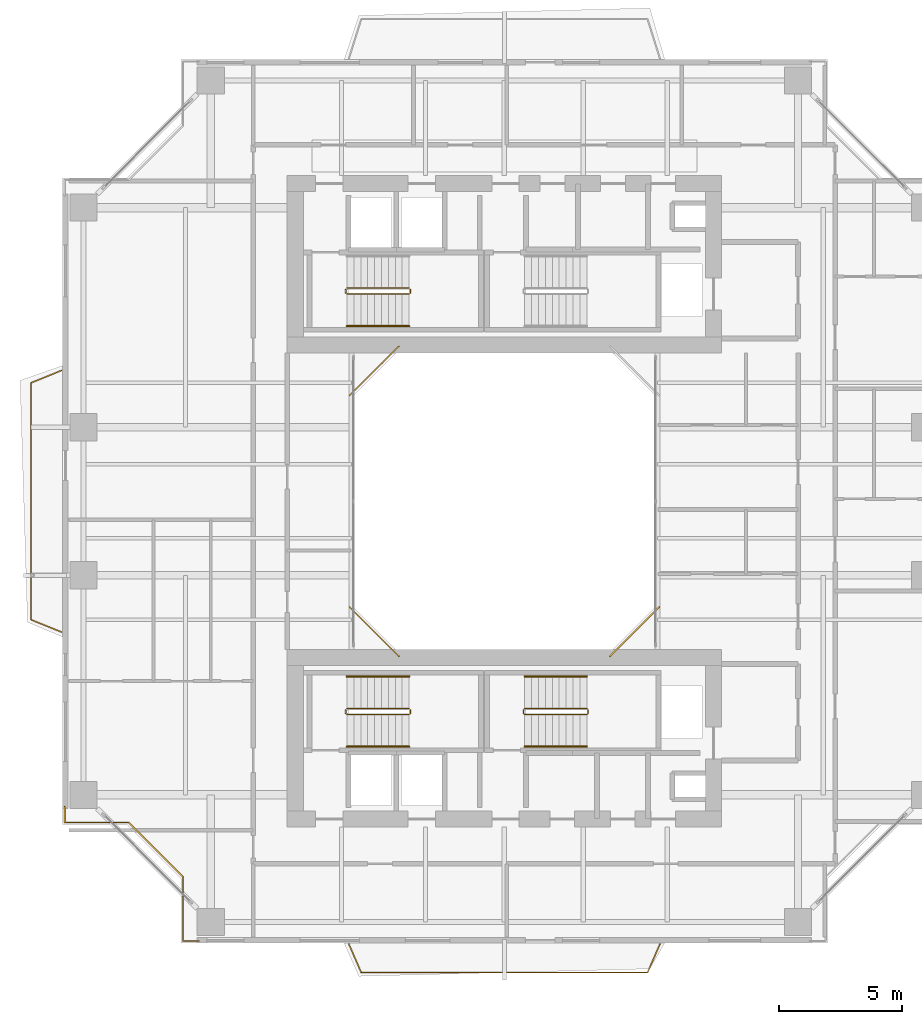
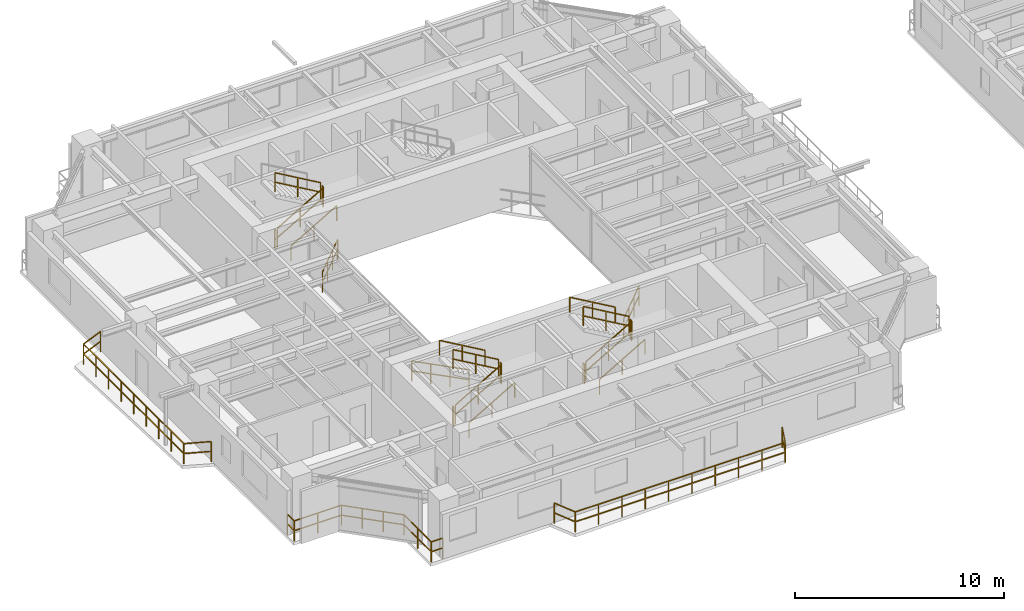
# One storey, part 20 of 23: 23 railings.
"""IFC4 building model written with IfcOpenShell, lengths in metres."""

from ifc_helpers import new_model, si_unit, direction, frame, origin, origin_2d, place, context, subcontext, project, spatial, rectangle, extrude, material, type_object, element, save


model = new_model("IFC4")

# Units and contexts
model_context = context("Model", 3, precision=1e-05, world=origin(), true_north=direction((0.0, 1.0)))
body_context = subcontext(model_context, "Body", "Model", "MODEL_VIEW")
ifc_project = project(units=[si_unit("LENGTHUNIT", "METRE"), si_unit("AREAUNIT", "SQUARE_METRE"), si_unit("VOLUMEUNIT", "CUBIC_METRE"), si_unit("PLANEANGLEUNIT", "RADIAN"), si_unit("MASSUNIT", "GRAM", prefix="KILO"), si_unit("THERMODYNAMICTEMPERATUREUNIT", "KELVIN"), si_unit("POWERUNIT", "WATT")], contexts=[model_context])

# Site, building, storey
site_placement = place(None, origin())
site = spatial("IfcSite", under=ifc_project, at=site_placement, CompositionType="ELEMENT")
building_placement = place(site_placement, origin())
building = spatial("IfcBuilding", under=site, at=building_placement, Name="Qiaomeng Ring Towers", CompositionType="ELEMENT")
storey_placement = place(building_placement, frame((0.0, 0.0, 100.25)))
storey = spatial("IfcBuildingStorey", under=building, at=storey_placement, Name="L28", CompositionType="ELEMENT", Elevation=100.25)

# Railings
ifc_material_1 = material(Name="Low-E pale-green laminated safety glass", Category="glass")
railing_type_1 = type_object("IfcRailingType", Name="ARC-RL-BAL1", PredefinedType="BALUSTRADE", material=ifc_material_1)
railing_1_placement = place(storey_placement, frame((23.280029296875, 16.719970703125, 0.0)))
element("IfcRailing", 1, at=railing_1_placement, inside=storey, type_object=railing_type_1, Name="L28 Balustrade ARC-BAL-WELL1-L28-1", PredefinedType="BALUSTRADE", context=body_context, shape_type="SweptSolid", body=[
    extrude(rectangle(XDim=0.048095703125, YDim=0.048095703125, at=origin_2d()), frame((0.0, 0.0, 1.17578125), z_axis=(0.707106781187, 0.707106781187, 0.0), x_axis=(-0.707106781187, 0.707106781187, 0.0)), (0.0, 0.0, 1.0), 2.828369140625),
    extrude(rectangle(XDim=0.048095703125, YDim=0.048095703125, at=origin_2d()), frame((0.0, 0.0, 0.60009765625), z_axis=(0.707106781187, 0.707106781187, 0.0), x_axis=(-0.707106781187, 0.707106781187, 0.0)), (0.0, 0.0, 1.0), 2.828369140625),
    extrude(rectangle(XDim=0.0419921875, YDim=0.0419921875, at=origin_2d()), origin(), (0.0, 0.0, 1.0), 1.15185546875),
    extrude(rectangle(XDim=0.0419921875, YDim=0.0419921875, at=origin_2d()), frame((0.666748046875, 0.666748046875, 0.0)), (0.0, 0.0, 1.0), 1.15185546875),
    extrude(rectangle(XDim=0.0419921875, YDim=0.0419921875, at=origin_2d()), frame((1.333251953125, 1.333251953125, 0.0)), (0.0, 0.0, 1.0), 1.15185546875),
    extrude(rectangle(XDim=0.0419921875, YDim=0.0419921875, at=origin_2d()), frame((2.0, 2.0, 0.0)), (0.0, 0.0, 1.0), 1.15185546875),
])
railing_2_placement = place(storey_placement, frame((14.719970703125, 29.280029296875, 0.0)))
element("IfcRailing", 2, at=railing_2_placement, inside=storey, type_object=railing_type_1, Name="L28 Balustrade ARC-BAL-WELL1-L28-3", PredefinedType="BALUSTRADE", context=body_context, shape_type="SweptSolid", body=[
    extrude(rectangle(XDim=0.048095703125, YDim=0.048095703125, at=origin_2d()), frame((0.0, 0.0, 1.17578125), z_axis=(-0.707106781187, -0.707106781187, 0.0), x_axis=(0.707106781187, -0.707106781187, 0.0)), (0.0, 0.0, 1.0), 2.828369140625),
    extrude(rectangle(XDim=0.048095703125, YDim=0.048095703125, at=origin_2d()), frame((0.0, 0.0, 0.60009765625), z_axis=(-0.707106781187, -0.707106781187, 0.0), x_axis=(0.707106781187, -0.707106781187, 0.0)), (0.0, 0.0, 1.0), 2.828369140625),
    extrude(rectangle(XDim=0.0419921875, YDim=0.0419921875, at=origin_2d()), origin(), (0.0, 0.0, 1.0), 1.15185546875),
    extrude(rectangle(XDim=0.0419921875, YDim=0.0419921875, at=origin_2d()), frame((-0.666748046875, -0.666748046875, 0.0)), (0.0, 0.0, 1.0), 1.15185546875),
    extrude(rectangle(XDim=0.0419921875, YDim=0.0419921875, at=origin_2d()), frame((-1.333251953125, -1.333251953125, 0.0)), (0.0, 0.0, 1.0), 1.15185546875),
    extrude(rectangle(XDim=0.0419921875, YDim=0.0419921875, at=origin_2d()), frame((-2.0, -2.0, 0.0)), (0.0, 0.0, 1.0), 1.15185546875),
])
railing_3_placement = place(storey_placement, frame((12.719970703125, 18.719970703125, 0.0)))
element("IfcRailing", 3, at=railing_3_placement, inside=storey, type_object=railing_type_1, Name="L28 Balustrade ARC-BAL-WELL1-L28-4", PredefinedType="BALUSTRADE", context=body_context, shape_type="SweptSolid", body=[
    extrude(rectangle(XDim=0.048095703125, YDim=0.048095703125, at=origin_2d()), frame((0.0, 0.0, 1.17578125), z_axis=(0.707106781187, -0.707106781187, 0.0), x_axis=(0.707106781187, 0.707106781187, 0.0)), (0.0, 0.0, 1.0), 2.828369140625),
    extrude(rectangle(XDim=0.048095703125, YDim=0.048095703125, at=origin_2d()), frame((0.0, 0.0, 0.60009765625), z_axis=(0.707106781187, -0.707106781187, 0.0), x_axis=(0.707106781187, 0.707106781187, 0.0)), (0.0, 0.0, 1.0), 2.828369140625),
    extrude(rectangle(XDim=0.0419921875, YDim=0.0419921875, at=origin_2d()), origin(), (0.0, 0.0, 1.0), 1.15185546875),
    extrude(rectangle(XDim=0.0419921875, YDim=0.0419921875, at=origin_2d()), frame((0.666748046875, -0.666748046875, 0.0)), (0.0, 0.0, 1.0), 1.15185546875),
    extrude(rectangle(XDim=0.0419921875, YDim=0.0419921875, at=origin_2d()), frame((1.333251953125, -1.333251953125, 0.0)), (0.0, 0.0, 1.0), 1.15185546875),
    extrude(rectangle(XDim=0.0419921875, YDim=0.0419921875, at=origin_2d()), frame((2.0, -2.0, 0.0)), (0.0, 0.0, 1.0), 1.15185546875),
])
railing_4_placement = place(storey_placement, frame((1.179931640625, 10.6298828125, 0.0)))
element("IfcRailing", 4, at=railing_4_placement, inside=storey, type_object=railing_type_1, Name="L28 Balustrade ARC-BAL-NOTCH1-L28-SW", PredefinedType="BALUSTRADE", context=body_context, shape_type="SweptSolid", body=[
    extrude(rectangle(XDim=0.048095703125, YDim=0.048095703125, at=origin_2d()), frame((0.0, 0.0, 1.17578125), z_axis=(0.0, -1.0, 0.0), x_axis=(1.0, 0.0, 0.0)), (0.0, 0.0, 1.0), 0.64990234375),
    extrude(rectangle(XDim=0.048095703125, YDim=0.048095703125, at=origin_2d()), frame((0.0, 0.0, 0.60009765625), z_axis=(0.0, -1.0, 0.0), x_axis=(1.0, 0.0, 0.0)), (0.0, 0.0, 1.0), 0.64990234375),
    extrude(rectangle(XDim=0.048095703125, YDim=0.048095703125, at=origin_2d()), frame((0.0, -0.64990234375, 1.17578125), z_axis=(1.0, 0.0, 0.0), x_axis=(0.0, 1.0, 0.0)), (0.0, 0.0, 1.0), 2.60009765625),
    extrude(rectangle(XDim=0.048095703125, YDim=0.048095703125, at=origin_2d()), frame((0.0, -0.64990234375, 0.60009765625), z_axis=(1.0, 0.0, 0.0), x_axis=(0.0, 1.0, 0.0)), (0.0, 0.0, 1.0), 2.60009765625),
    extrude(rectangle(XDim=0.048095703125, YDim=0.048095703125, at=origin_2d()), frame((2.60009765625, -0.64990234375, 1.17578125), z_axis=(0.707106781187, -0.707106781187, 0.0), x_axis=(0.707106781187, 0.707106781187, 0.0)), (0.0, 0.0, 1.0), 3.111083984375),
    extrude(rectangle(XDim=0.048095703125, YDim=0.048095703125, at=origin_2d()), frame((2.60009765625, -0.64990234375, 0.60009765625), z_axis=(0.707106781187, -0.707106781187, 0.0), x_axis=(0.707106781187, 0.707106781187, 0.0)), (0.0, 0.0, 1.0), 3.111083984375),
    extrude(rectangle(XDim=0.048095703125, YDim=0.048095703125, at=origin_2d()), frame((4.800048828125, -2.849853515625, 1.17578125), z_axis=(0.0, -1.0, 0.0), x_axis=(1.0, 0.0, 0.0)), (0.0, 0.0, 1.0), 2.60009765625),
    extrude(rectangle(XDim=0.048095703125, YDim=0.048095703125, at=origin_2d()), frame((4.800048828125, -2.849853515625, 0.60009765625), z_axis=(0.0, -1.0, 0.0), x_axis=(1.0, 0.0, 0.0)), (0.0, 0.0, 1.0), 2.60009765625),
    extrude(rectangle(XDim=0.048095703125, YDim=0.048095703125, at=origin_2d()), frame((4.800048828125, -5.449951171875, 1.17578125), z_axis=(1.0, 0.0, 0.0), x_axis=(0.0, 1.0, 0.0)), (0.0, 0.0, 1.0), 0.64990234375),
    extrude(rectangle(XDim=0.048095703125, YDim=0.048095703125, at=origin_2d()), frame((4.800048828125, -5.449951171875, 0.60009765625), z_axis=(1.0, 0.0, 0.0), x_axis=(0.0, 1.0, 0.0)), (0.0, 0.0, 1.0), 0.64990234375),
    extrude(rectangle(XDim=0.0419921875, YDim=0.0419921875, at=origin_2d()), origin(), (0.0, 0.0, 1.0), 1.15185546875),
    extrude(rectangle(XDim=0.0419921875, YDim=0.0419921875, at=origin_2d()), frame((0.0, -0.64990234375, 0.0)), (0.0, 0.0, 1.0), 1.15185546875),
    extrude(rectangle(XDim=0.0419921875, YDim=0.0419921875, at=origin_2d()), frame((1.300048828125, -0.64990234375, 0.0)), (0.0, 0.0, 1.0), 1.15185546875),
    extrude(rectangle(XDim=0.0419921875, YDim=0.0419921875, at=origin_2d()), frame((2.60009765625, -0.64990234375, 0.0)), (0.0, 0.0, 1.0), 1.15185546875),
    extrude(rectangle(XDim=0.0419921875, YDim=0.0419921875, at=origin_2d()), frame((3.33349609375, -1.38330078125, 0.0)), (0.0, 0.0, 1.0), 1.15185546875),
    extrude(rectangle(XDim=0.0419921875, YDim=0.0419921875, at=origin_2d()), frame((4.066650390625, -2.116455078125, 0.0)), (0.0, 0.0, 1.0), 1.15185546875),
    extrude(rectangle(XDim=0.0419921875, YDim=0.0419921875, at=origin_2d()), frame((4.800048828125, -2.849853515625, 0.0)), (0.0, 0.0, 1.0), 1.15185546875),
    extrude(rectangle(XDim=0.0419921875, YDim=0.0419921875, at=origin_2d()), frame((4.800048828125, -4.14990234375, 0.0)), (0.0, 0.0, 1.0), 1.15185546875),
    extrude(rectangle(XDim=0.0419921875, YDim=0.0419921875, at=origin_2d()), frame((4.800048828125, -5.449951171875, 0.0)), (0.0, 0.0, 1.0), 1.15185546875),
    extrude(rectangle(XDim=0.0419921875, YDim=0.0419921875, at=origin_2d()), frame((5.449951171875, -5.449951171875, 0.0)), (0.0, 0.0, 1.0), 1.15185546875),
])
railing_5_placement = place(storey_placement, frame((12.699951171875, 5.050048828125, 0.0)))
element("IfcRailing", 5, at=railing_5_placement, inside=storey, type_object=railing_type_1, Name="L28 Balustrade ARC-BAL-L28-T1-S", PredefinedType="BALUSTRADE", context=body_context, shape_type="SweptSolid", body=[
    extrude(rectangle(XDim=0.048095703125, YDim=0.048095703125, at=origin_2d()), frame((0.0, 0.0, 1.17578125), z_axis=(0.39868340127, -0.917088624699, 0.0), x_axis=(0.917088624699, 0.39868340127, 0.0)), (0.0, 0.0, 1.0), 1.254150390625),
    extrude(rectangle(XDim=0.048095703125, YDim=0.048095703125, at=origin_2d()), frame((0.0, 0.0, 0.60009765625), z_axis=(0.39868340127, -0.917088624699, 0.0), x_axis=(0.917088624699, 0.39868340127, 0.0)), (0.0, 0.0, 1.0), 1.254150390625),
    extrude(rectangle(XDim=0.048095703125, YDim=0.048095703125, at=origin_2d()), frame((0.5, -1.150146484375, 1.17578125), z_axis=(1.0, 0.0, 0.0), x_axis=(0.0, 1.0, 0.0)), (0.0, 0.0, 1.0), 11.60009765625),
    extrude(rectangle(XDim=0.048095703125, YDim=0.048095703125, at=origin_2d()), frame((0.5, -1.150146484375, 0.60009765625), z_axis=(1.0, 0.0, 0.0), x_axis=(0.0, 1.0, 0.0)), (0.0, 0.0, 1.0), 11.60009765625),
    extrude(rectangle(XDim=0.048095703125, YDim=0.048095703125, at=origin_2d()), frame((12.10009765625, -1.150146484375, 1.17578125), z_axis=(0.39868340127, 0.917088624699, 0.0), x_axis=(-0.917088624699, 0.39868340127, 0.0)), (0.0, 0.0, 1.0), 1.254150390625),
    extrude(rectangle(XDim=0.048095703125, YDim=0.048095703125, at=origin_2d()), frame((12.10009765625, -1.150146484375, 0.60009765625), z_axis=(0.39868340127, 0.917088624699, 0.0), x_axis=(-0.917088624699, 0.39868340127, 0.0)), (0.0, 0.0, 1.0), 1.254150390625),
    extrude(rectangle(XDim=0.0419921875, YDim=0.0419921875, at=origin_2d()), origin(), (0.0, 0.0, 1.0), 1.15185546875),
    extrude(rectangle(XDim=0.0419921875, YDim=0.0419921875, at=origin_2d()), frame((0.5, -1.150146484375, 0.0)), (0.0, 0.0, 1.0), 1.15185546875),
    extrude(rectangle(XDim=0.0419921875, YDim=0.0419921875, at=origin_2d()), frame((1.788818359375, -1.150146484375, 0.0)), (0.0, 0.0, 1.0), 1.15185546875),
    extrude(rectangle(XDim=0.0419921875, YDim=0.0419921875, at=origin_2d()), frame((3.077880859375, -1.150146484375, 0.0)), (0.0, 0.0, 1.0), 1.15185546875),
    extrude(rectangle(XDim=0.0419921875, YDim=0.0419921875, at=origin_2d()), frame((4.36669921875, -1.150146484375, 0.0)), (0.0, 0.0, 1.0), 1.15185546875),
    extrude(rectangle(XDim=0.0419921875, YDim=0.0419921875, at=origin_2d()), frame((5.655517578125, -1.150146484375, 0.0)), (0.0, 0.0, 1.0), 1.15185546875),
    extrude(rectangle(XDim=0.0419921875, YDim=0.0419921875, at=origin_2d()), frame((6.944580078125, -1.150146484375, 0.0)), (0.0, 0.0, 1.0), 1.15185546875),
    extrude(rectangle(XDim=0.0419921875, YDim=0.0419921875, at=origin_2d()), frame((8.2333984375, -1.150146484375, 0.0)), (0.0, 0.0, 1.0), 1.15185546875),
    extrude(rectangle(XDim=0.0419921875, YDim=0.0419921875, at=origin_2d()), frame((9.522216796875, -1.150146484375, 0.0)), (0.0, 0.0, 1.0), 1.15185546875),
    extrude(rectangle(XDim=0.0419921875, YDim=0.0419921875, at=origin_2d()), frame((10.811279296875, -1.150146484375, 0.0)), (0.0, 0.0, 1.0), 1.15185546875),
    extrude(rectangle(XDim=0.0419921875, YDim=0.0419921875, at=origin_2d()), frame((12.10009765625, -1.150146484375, 0.0)), (0.0, 0.0, 1.0), 1.15185546875),
    extrude(rectangle(XDim=0.0419921875, YDim=0.0419921875, at=origin_2d()), frame((12.60009765625, 0.0, 0.0)), (0.0, 0.0, 1.0), 1.15185546875),
])
railing_6_placement = place(storey_placement, frame((1.050048828125, 17.699951171875, 0.0)))
element("IfcRailing", 6, at=railing_6_placement, inside=storey, type_object=railing_type_1, Name="L28 Balustrade ARC-BAL-L28-T1-W", PredefinedType="BALUSTRADE", context=body_context, shape_type="SweptSolid", body=[
    extrude(rectangle(XDim=0.048095703125, YDim=0.048095703125, at=origin_2d()), frame((0.0, 0.0, 1.17578125), z_axis=(-0.926382398109, 0.376584190418, 0.0), x_axis=(-0.376584190418, -0.926382398109, 0.0)), (0.0, 0.0, 1.0), 1.32763671875),
    extrude(rectangle(XDim=0.048095703125, YDim=0.048095703125, at=origin_2d()), frame((0.0, 0.0, 0.60009765625), z_axis=(-0.926382398109, 0.376584190418, 0.0), x_axis=(-0.376584190418, -0.926382398109, 0.0)), (0.0, 0.0, 1.0), 1.32763671875),
    extrude(rectangle(XDim=0.048095703125, YDim=0.048095703125, at=origin_2d()), frame((-1.22998046875, 0.5, 1.17578125), z_axis=(0.0, 1.0, 0.0), x_axis=(-1.0, 0.0, 0.0)), (0.0, 0.0, 1.0), 9.60009765625),
    extrude(rectangle(XDim=0.048095703125, YDim=0.048095703125, at=origin_2d()), frame((-1.22998046875, 0.5, 0.60009765625), z_axis=(0.0, 1.0, 0.0), x_axis=(-1.0, 0.0, 0.0)), (0.0, 0.0, 1.0), 9.60009765625),
    extrude(rectangle(XDim=0.048095703125, YDim=0.048095703125, at=origin_2d()), frame((-1.22998046875, 10.10009765625, 1.17578125), z_axis=(0.926382398109, 0.376584190418, 0.0), x_axis=(-0.376584190418, 0.926382398109, 0.0)), (0.0, 0.0, 1.0), 1.32763671875),
    extrude(rectangle(XDim=0.048095703125, YDim=0.048095703125, at=origin_2d()), frame((-1.22998046875, 10.10009765625, 0.60009765625), z_axis=(0.926382398109, 0.376584190418, 0.0), x_axis=(-0.376584190418, 0.926382398109, 0.0)), (0.0, 0.0, 1.0), 1.32763671875),
    extrude(rectangle(XDim=0.0419921875, YDim=0.0419921875, at=origin_2d()), origin(), (0.0, 0.0, 1.0), 1.15185546875),
    extrude(rectangle(XDim=0.0419921875, YDim=0.0419921875, at=origin_2d()), frame((-1.22998046875, 0.5, 0.0)), (0.0, 0.0, 1.0), 1.15185546875),
    extrude(rectangle(XDim=0.0419921875, YDim=0.0419921875, at=origin_2d()), frame((-1.22998046875, 1.699951171875, 0.0)), (0.0, 0.0, 1.0), 1.15185546875),
    extrude(rectangle(XDim=0.0419921875, YDim=0.0419921875, at=origin_2d()), frame((-1.22998046875, 2.89990234375, 0.0)), (0.0, 0.0, 1.0), 1.15185546875),
    extrude(rectangle(XDim=0.0419921875, YDim=0.0419921875, at=origin_2d()), frame((-1.22998046875, 4.10009765625, 0.0)), (0.0, 0.0, 1.0), 1.15185546875),
    extrude(rectangle(XDim=0.0419921875, YDim=0.0419921875, at=origin_2d()), frame((-1.22998046875, 5.300048828125, 0.0)), (0.0, 0.0, 1.0), 1.15185546875),
    extrude(rectangle(XDim=0.0419921875, YDim=0.0419921875, at=origin_2d()), frame((-1.22998046875, 6.5, 0.0)), (0.0, 0.0, 1.0), 1.15185546875),
    extrude(rectangle(XDim=0.0419921875, YDim=0.0419921875, at=origin_2d()), frame((-1.22998046875, 7.7001953125, 0.0)), (0.0, 0.0, 1.0), 1.15185546875),
    extrude(rectangle(XDim=0.0419921875, YDim=0.0419921875, at=origin_2d()), frame((-1.22998046875, 8.900146484375, 0.0)), (0.0, 0.0, 1.0), 1.15185546875),
    extrude(rectangle(XDim=0.0419921875, YDim=0.0419921875, at=origin_2d()), frame((-1.22998046875, 10.10009765625, 0.0)), (0.0, 0.0, 1.0), 1.15185546875),
    extrude(rectangle(XDim=0.0419921875, YDim=0.0419921875, at=origin_2d()), frame((0.0, 10.60009765625, 0.0)), (0.0, 0.0, 1.0), 1.15185546875),
])
ifc_material_2 = material(Name="Galvanised steel", Category="steel")
railing_type_2 = type_object("IfcRailingType", Name="ARC-RL-GUARD", PredefinedType="GUARDRAIL", material=ifc_material_2)
railing_7_placement = place(storey_placement, frame((12.6201171875, 31.39990234375, 0.16259765625)))
element("IfcRailing", 7, at=railing_7_placement, inside=storey, type_object=railing_type_2, Name="L28 ST1 stair guard 1", PredefinedType="GUARDRAIL", context=body_context, shape_type="SweptSolid", body=[
    extrude(rectangle(XDim=0.048095703125, YDim=0.048095703125, at=origin_2d()), frame((0.0, 0.0, 1.1259765625), z_axis=(0.864892226395, 0.0, 0.501957604506), x_axis=(0.0, 1.0, 0.0)), (0.0, 0.0, 1.0), 2.913330078125),
    extrude(rectangle(XDim=0.048095703125, YDim=0.048095703125, at=origin_2d()), frame((0.0, 0.0, 0.574951171875), z_axis=(0.864892226395, 0.0, 0.501957604506), x_axis=(0.0, 1.0, 0.0)), (0.0, 0.0, 1.0), 2.913330078125),
    extrude(rectangle(XDim=0.0419921875, YDim=0.0419921875, at=origin_2d()), origin(), (0.0, 0.0, 1.0), 1.101806640625),
    extrude(rectangle(XDim=0.0419921875, YDim=0.0419921875, at=origin_2d()), frame((1.259765625, 0.0, 0.731201171875)), (0.0, 0.0, 1.0), 1.101806640625),
    extrude(rectangle(XDim=0.0419921875, YDim=0.0419921875, at=origin_2d()), frame((2.519775390625, 0.0, 1.46240234375)), (0.0, 0.0, 1.0), 1.101806640625),
])
railing_8_placement = place(storey_placement, frame((15.18994140625, 31.449951171875, 1.625)))
element("IfcRailing", 8, at=railing_8_placement, inside=storey, type_object=railing_type_2, Name="L28 ST1 stair guard 2", PredefinedType="GUARDRAIL", context=body_context, shape_type="SweptSolid", body=[
    extrude(rectangle(XDim=0.048095703125, YDim=0.048095703125, at=origin_2d()), frame((0.0, 0.0, 1.1259765625), z_axis=(0.0, 1.0, 0.0), x_axis=(-1.0, 0.0, 0.0)), (0.0, 0.0, 1.0), 0.14013671875),
    extrude(rectangle(XDim=0.048095703125, YDim=0.048095703125, at=origin_2d()), frame((0.0, 0.0, 0.574951171875), z_axis=(0.0, 1.0, 0.0), x_axis=(-1.0, 0.0, 0.0)), (0.0, 0.0, 1.0), 0.14013671875),
    extrude(rectangle(XDim=0.0419921875, YDim=0.0419921875, at=origin_2d()), origin(), (0.0, 0.0, 1.0), 1.101806640625),
    extrude(rectangle(XDim=0.0419921875, YDim=0.0419921875, at=origin_2d()), frame((0.0, 0.14013671875, 0.0)), (0.0, 0.0, 1.0), 1.101806640625),
])
railing_9_placement = place(storey_placement, frame((15.139892578125, 31.639892578125, 1.78759765625)))
element("IfcRailing", 9, at=railing_9_placement, inside=storey, type_object=railing_type_2, Name="L28 ST1 stair guard 3", PredefinedType="GUARDRAIL", context=body_context, shape_type="SweptSolid", body=[
    extrude(rectangle(XDim=0.048095703125, YDim=0.048095703125, at=origin_2d()), frame((0.0, 0.0, 1.1259765625), z_axis=(-0.864892226395, 0.0, 0.501957604506), x_axis=(0.0, -1.0, 0.0)), (0.0, 0.0, 1.0), 2.913330078125),
    extrude(rectangle(XDim=0.048095703125, YDim=0.048095703125, at=origin_2d()), frame((0.0, 0.0, 0.574951171875), z_axis=(-0.864892226395, 0.0, 0.501957604506), x_axis=(0.0, -1.0, 0.0)), (0.0, 0.0, 1.0), 2.913330078125),
    extrude(rectangle(XDim=0.0419921875, YDim=0.0419921875, at=origin_2d()), origin(), (0.0, 0.0, 1.0), 1.101806640625),
    extrude(rectangle(XDim=0.0419921875, YDim=0.0419921875, at=origin_2d()), frame((-1.259765625, 0.0, 0.731201171875)), (0.0, 0.0, 1.0), 1.101806640625),
    extrude(rectangle(XDim=0.0419921875, YDim=0.0419921875, at=origin_2d()), frame((-2.519775390625, 0.0, 1.46240234375)), (0.0, 0.0, 1.0), 1.101806640625),
])
railing_10_placement = place(storey_placement, frame((12.570068359375, 31.449951171875, 0.0)))
element("IfcRailing", 10, at=railing_10_placement, inside=storey, type_object=railing_type_2, Name="L28 ST1 stair guard 4", PredefinedType="GUARDRAIL", context=body_context, shape_type="SweptSolid", body=[
    extrude(rectangle(XDim=0.048095703125, YDim=0.048095703125, at=origin_2d()), frame((0.0, 0.0, 1.1259765625), z_axis=(0.0, 1.0, 0.0), x_axis=(-1.0, 0.0, 0.0)), (0.0, 0.0, 1.0), 0.14013671875),
    extrude(rectangle(XDim=0.048095703125, YDim=0.048095703125, at=origin_2d()), frame((0.0, 0.0, 0.574951171875), z_axis=(0.0, 1.0, 0.0), x_axis=(-1.0, 0.0, 0.0)), (0.0, 0.0, 1.0), 0.14013671875),
    extrude(rectangle(XDim=0.0419921875, YDim=0.0419921875, at=origin_2d()), origin(), (0.0, 0.0, 1.0), 1.101806640625),
    extrude(rectangle(XDim=0.0419921875, YDim=0.0419921875, at=origin_2d()), frame((0.0, 0.14013671875, 0.0)), (0.0, 0.0, 1.0), 1.101806640625),
])
railing_11_placement = place(storey_placement, frame((12.6201171875, 14.360107421875, 0.16259765625)))
element("IfcRailing", 11, at=railing_11_placement, inside=storey, type_object=railing_type_2, Name="L28 ST3 stair guard 1", PredefinedType="GUARDRAIL", context=body_context, shape_type="SweptSolid", body=[
    extrude(rectangle(XDim=0.048095703125, YDim=0.048095703125, at=origin_2d()), frame((0.0, 0.0, 1.1259765625), z_axis=(0.864892226395, 0.0, 0.501957604506), x_axis=(0.0, 1.0, 0.0)), (0.0, 0.0, 1.0), 2.913330078125),
    extrude(rectangle(XDim=0.048095703125, YDim=0.048095703125, at=origin_2d()), frame((0.0, 0.0, 0.574951171875), z_axis=(0.864892226395, 0.0, 0.501957604506), x_axis=(0.0, 1.0, 0.0)), (0.0, 0.0, 1.0), 2.913330078125),
    extrude(rectangle(XDim=0.0419921875, YDim=0.0419921875, at=origin_2d()), origin(), (0.0, 0.0, 1.0), 1.101806640625),
    extrude(rectangle(XDim=0.0419921875, YDim=0.0419921875, at=origin_2d()), frame((1.259765625, 0.0, 0.731201171875)), (0.0, 0.0, 1.0), 1.101806640625),
    extrude(rectangle(XDim=0.0419921875, YDim=0.0419921875, at=origin_2d()), frame((2.519775390625, 0.0, 1.46240234375)), (0.0, 0.0, 1.0), 1.101806640625),
])
railing_12_placement = place(storey_placement, frame((15.18994140625, 14.409912109375, 1.625)))
element("IfcRailing", 12, at=railing_12_placement, inside=storey, type_object=railing_type_2, Name="L28 ST3 stair guard 2", PredefinedType="GUARDRAIL", context=body_context, shape_type="SweptSolid", body=[
    extrude(rectangle(XDim=0.048095703125, YDim=0.048095703125, at=origin_2d()), frame((0.0, 0.0, 1.1259765625), z_axis=(0.0, 1.0, 0.0), x_axis=(-1.0, 0.0, 0.0)), (0.0, 0.0, 1.0), 0.14013671875),
    extrude(rectangle(XDim=0.048095703125, YDim=0.048095703125, at=origin_2d()), frame((0.0, 0.0, 0.574951171875), z_axis=(0.0, 1.0, 0.0), x_axis=(-1.0, 0.0, 0.0)), (0.0, 0.0, 1.0), 0.14013671875),
    extrude(rectangle(XDim=0.0419921875, YDim=0.0419921875, at=origin_2d()), origin(), (0.0, 0.0, 1.0), 1.101806640625),
    extrude(rectangle(XDim=0.0419921875, YDim=0.0419921875, at=origin_2d()), frame((0.0, 0.14013671875, 0.0)), (0.0, 0.0, 1.0), 1.101806640625),
])
railing_13_placement = place(storey_placement, frame((15.139892578125, 14.60009765625, 1.78759765625)))
element("IfcRailing", 13, at=railing_13_placement, inside=storey, type_object=railing_type_2, Name="L28 ST3 stair guard 3", PredefinedType="GUARDRAIL", context=body_context, shape_type="SweptSolid", body=[
    extrude(rectangle(XDim=0.048095703125, YDim=0.048095703125, at=origin_2d()), frame((0.0, 0.0, 1.1259765625), z_axis=(-0.864892226395, 0.0, 0.501957604506), x_axis=(0.0, -1.0, 0.0)), (0.0, 0.0, 1.0), 2.913330078125),
    extrude(rectangle(XDim=0.048095703125, YDim=0.048095703125, at=origin_2d()), frame((0.0, 0.0, 0.574951171875), z_axis=(-0.864892226395, 0.0, 0.501957604506), x_axis=(0.0, -1.0, 0.0)), (0.0, 0.0, 1.0), 2.913330078125),
    extrude(rectangle(XDim=0.0419921875, YDim=0.0419921875, at=origin_2d()), origin(), (0.0, 0.0, 1.0), 1.101806640625),
    extrude(rectangle(XDim=0.0419921875, YDim=0.0419921875, at=origin_2d()), frame((-1.259765625, 0.0, 0.731201171875)), (0.0, 0.0, 1.0), 1.101806640625),
    extrude(rectangle(XDim=0.0419921875, YDim=0.0419921875, at=origin_2d()), frame((-2.519775390625, 0.0, 1.46240234375)), (0.0, 0.0, 1.0), 1.101806640625),
])
railing_14_placement = place(storey_placement, frame((12.570068359375, 14.409912109375, 0.0)))
element("IfcRailing", 14, at=railing_14_placement, inside=storey, type_object=railing_type_2, Name="L28 ST3 stair guard 4", PredefinedType="GUARDRAIL", context=body_context, shape_type="SweptSolid", body=[
    extrude(rectangle(XDim=0.048095703125, YDim=0.048095703125, at=origin_2d()), frame((0.0, 0.0, 1.1259765625), z_axis=(0.0, 1.0, 0.0), x_axis=(-1.0, 0.0, 0.0)), (0.0, 0.0, 1.0), 0.14013671875),
    extrude(rectangle(XDim=0.048095703125, YDim=0.048095703125, at=origin_2d()), frame((0.0, 0.0, 0.574951171875), z_axis=(0.0, 1.0, 0.0), x_axis=(-1.0, 0.0, 0.0)), (0.0, 0.0, 1.0), 0.14013671875),
    extrude(rectangle(XDim=0.0419921875, YDim=0.0419921875, at=origin_2d()), origin(), (0.0, 0.0, 1.0), 1.101806640625),
    extrude(rectangle(XDim=0.0419921875, YDim=0.0419921875, at=origin_2d()), frame((0.0, 0.14013671875, 0.0)), (0.0, 0.0, 1.0), 1.101806640625),
])
railing_15_placement = place(storey_placement, frame((19.820068359375, 14.360107421875, 0.16259765625)))
element("IfcRailing", 15, at=railing_15_placement, inside=storey, type_object=railing_type_2, Name="L28 ST4 stair guard 1", PredefinedType="GUARDRAIL", context=body_context, shape_type="SweptSolid", body=[
    extrude(rectangle(XDim=0.048095703125, YDim=0.048095703125, at=origin_2d()), frame((0.0, 0.0, 1.1259765625), z_axis=(0.864913338283, 0.0, 0.50192122615), x_axis=(0.0, 1.0, 0.0)), (0.0, 0.0, 1.0), 2.91357421875),
    extrude(rectangle(XDim=0.048095703125, YDim=0.048095703125, at=origin_2d()), frame((0.0, 0.0, 0.574951171875), z_axis=(0.864913338283, 0.0, 0.50192122615), x_axis=(0.0, 1.0, 0.0)), (0.0, 0.0, 1.0), 2.91357421875),
    extrude(rectangle(XDim=0.0419921875, YDim=0.0419921875, at=origin_2d()), origin(), (0.0, 0.0, 1.0), 1.101806640625),
    extrude(rectangle(XDim=0.0419921875, YDim=0.0419921875, at=origin_2d()), frame((1.260009765625, 0.0, 0.731201171875)), (0.0, 0.0, 1.0), 1.101806640625),
    extrude(rectangle(XDim=0.0419921875, YDim=0.0419921875, at=origin_2d()), frame((2.52001953125, 0.0, 1.46240234375)), (0.0, 0.0, 1.0), 1.101806640625),
])
railing_16_placement = place(storey_placement, frame((22.389892578125, 14.409912109375, 1.625)))
element("IfcRailing", 16, at=railing_16_placement, inside=storey, type_object=railing_type_2, Name="L28 ST4 stair guard 2", PredefinedType="GUARDRAIL", context=body_context, shape_type="SweptSolid", body=[
    extrude(rectangle(XDim=0.048095703125, YDim=0.048095703125, at=origin_2d()), frame((0.0, 0.0, 1.1259765625), z_axis=(0.0, 1.0, 0.0), x_axis=(-1.0, 0.0, 0.0)), (0.0, 0.0, 1.0), 0.14013671875),
    extrude(rectangle(XDim=0.048095703125, YDim=0.048095703125, at=origin_2d()), frame((0.0, 0.0, 0.574951171875), z_axis=(0.0, 1.0, 0.0), x_axis=(-1.0, 0.0, 0.0)), (0.0, 0.0, 1.0), 0.14013671875),
    extrude(rectangle(XDim=0.0419921875, YDim=0.0419921875, at=origin_2d()), origin(), (0.0, 0.0, 1.0), 1.101806640625),
    extrude(rectangle(XDim=0.0419921875, YDim=0.0419921875, at=origin_2d()), frame((0.0, 0.14013671875, 0.0)), (0.0, 0.0, 1.0), 1.101806640625),
])
railing_17_placement = place(storey_placement, frame((22.340087890625, 14.60009765625, 1.78759765625)))
element("IfcRailing", 17, at=railing_17_placement, inside=storey, type_object=railing_type_2, Name="L28 ST4 stair guard 3", PredefinedType="GUARDRAIL", context=body_context, shape_type="SweptSolid", body=[
    extrude(rectangle(XDim=0.048095703125, YDim=0.048095703125, at=origin_2d()), frame((0.0, 0.0, 1.1259765625), z_axis=(-0.864913338283, 0.0, 0.50192122615), x_axis=(0.0, -1.0, 0.0)), (0.0, 0.0, 1.0), 2.91357421875),
    extrude(rectangle(XDim=0.048095703125, YDim=0.048095703125, at=origin_2d()), frame((0.0, 0.0, 0.574951171875), z_axis=(-0.864913338283, 0.0, 0.50192122615), x_axis=(0.0, -1.0, 0.0)), (0.0, 0.0, 1.0), 2.91357421875),
    extrude(rectangle(XDim=0.0419921875, YDim=0.0419921875, at=origin_2d()), origin(), (0.0, 0.0, 1.0), 1.101806640625),
    extrude(rectangle(XDim=0.0419921875, YDim=0.0419921875, at=origin_2d()), frame((-1.260009765625, 0.0, 0.731201171875)), (0.0, 0.0, 1.0), 1.101806640625),
    extrude(rectangle(XDim=0.0419921875, YDim=0.0419921875, at=origin_2d()), frame((-2.52001953125, 0.0, 1.46240234375)), (0.0, 0.0, 1.0), 1.101806640625),
])
railing_18_placement = place(storey_placement, frame((19.77001953125, 14.409912109375, 0.0)))
element("IfcRailing", 18, at=railing_18_placement, inside=storey, type_object=railing_type_2, Name="L28 ST4 stair guard 4", PredefinedType="GUARDRAIL", context=body_context, shape_type="SweptSolid", body=[
    extrude(rectangle(XDim=0.048095703125, YDim=0.048095703125, at=origin_2d()), frame((0.0, 0.0, 1.1259765625), z_axis=(0.0, 1.0, 0.0), x_axis=(-1.0, 0.0, 0.0)), (0.0, 0.0, 1.0), 0.14013671875),
    extrude(rectangle(XDim=0.048095703125, YDim=0.048095703125, at=origin_2d()), frame((0.0, 0.0, 0.574951171875), z_axis=(0.0, 1.0, 0.0), x_axis=(-1.0, 0.0, 0.0)), (0.0, 0.0, 1.0), 0.14013671875),
    extrude(rectangle(XDim=0.0419921875, YDim=0.0419921875, at=origin_2d()), origin(), (0.0, 0.0, 1.0), 1.101806640625),
    extrude(rectangle(XDim=0.0419921875, YDim=0.0419921875, at=origin_2d()), frame((0.0, 0.14013671875, 0.0)), (0.0, 0.0, 1.0), 1.101806640625),
])
ifc_material_3 = material(Name="Stainless steel 316", Category="steel")
railing_type_3 = type_object("IfcRailingType", Name="ARC-RL-HAND", PredefinedType="HANDRAIL", material=ifc_material_3)
for number, where, name in (
    (19, (12.6201171875, 30.10009765625, 0.16259765625), "L28 ST1 stair handrail 1"),
    (20, (12.6201171875, 13.06005859375, 0.16259765625), "L28 ST3 stair handrail 1"),
):
    element("IfcRailing", number, at=place(storey_placement, frame(where)), inside=storey, type_object=railing_type_3, Name=name, PredefinedType="HANDRAIL", context=body_context, shape_type="SweptSolid", body=[
        extrude(rectangle(XDim=0.048095703125, YDim=0.048095703125, at=origin_2d()), frame((0.0, 0.0, 0.8759765625), z_axis=(0.864892226395, 0.0, 0.501957604506), x_axis=(0.0, 1.0, 0.0)), (0.0, 0.0, 1.0), 2.913330078125),
        extrude(rectangle(XDim=0.0419921875, YDim=0.0419921875, at=origin_2d()), origin(), (0.0, 0.0, 1.0), 0.851806640625),
        extrude(rectangle(XDim=0.0419921875, YDim=0.0419921875, at=origin_2d()), frame((1.259765625, 0.0, 0.731201171875)), (0.0, 0.0, 1.0), 0.851806640625),
        extrude(rectangle(XDim=0.0419921875, YDim=0.0419921875, at=origin_2d()), frame((2.519775390625, 0.0, 1.46240234375)), (0.0, 0.0, 1.0), 0.851806640625),
    ])
railing_19_placement = place(storey_placement, frame((15.139892578125, 15.89990234375, 1.78759765625)))
element("IfcRailing", 21, at=railing_19_placement, inside=storey, type_object=railing_type_3, Name="L28 ST3 stair handrail 2", PredefinedType="HANDRAIL", context=body_context, shape_type="SweptSolid", body=[
    extrude(rectangle(XDim=0.048095703125, YDim=0.048095703125, at=origin_2d()), frame((0.0, 0.0, 0.8759765625), z_axis=(-0.864892226395, 0.0, 0.501957604506), x_axis=(0.0, -1.0, 0.0)), (0.0, 0.0, 1.0), 2.913330078125),
    extrude(rectangle(XDim=0.0419921875, YDim=0.0419921875, at=origin_2d()), origin(), (0.0, 0.0, 1.0), 0.851806640625),
    extrude(rectangle(XDim=0.0419921875, YDim=0.0419921875, at=origin_2d()), frame((-1.259765625, 0.0, 0.731201171875)), (0.0, 0.0, 1.0), 0.851806640625),
    extrude(rectangle(XDim=0.0419921875, YDim=0.0419921875, at=origin_2d()), frame((-2.519775390625, 0.0, 1.46240234375)), (0.0, 0.0, 1.0), 0.851806640625),
])
railing_20_placement = place(storey_placement, frame((19.820068359375, 13.06005859375, 0.16259765625)))
element("IfcRailing", 22, at=railing_20_placement, inside=storey, type_object=railing_type_3, Name="L28 ST4 stair handrail 1", PredefinedType="HANDRAIL", context=body_context, shape_type="SweptSolid", body=[
    extrude(rectangle(XDim=0.048095703125, YDim=0.048095703125, at=origin_2d()), frame((0.0, 0.0, 0.8759765625), z_axis=(0.864913338283, 0.0, 0.50192122615), x_axis=(0.0, 1.0, 0.0)), (0.0, 0.0, 1.0), 2.91357421875),
    extrude(rectangle(XDim=0.0419921875, YDim=0.0419921875, at=origin_2d()), origin(), (0.0, 0.0, 1.0), 0.851806640625),
    extrude(rectangle(XDim=0.0419921875, YDim=0.0419921875, at=origin_2d()), frame((1.260009765625, 0.0, 0.731201171875)), (0.0, 0.0, 1.0), 0.851806640625),
    extrude(rectangle(XDim=0.0419921875, YDim=0.0419921875, at=origin_2d()), frame((2.52001953125, 0.0, 1.46240234375)), (0.0, 0.0, 1.0), 0.851806640625),
])
railing_21_placement = place(storey_placement, frame((22.340087890625, 15.89990234375, 1.78759765625)))
element("IfcRailing", 23, at=railing_21_placement, inside=storey, type_object=railing_type_3, Name="L28 ST4 stair handrail 2", PredefinedType="HANDRAIL", context=body_context, shape_type="SweptSolid", body=[
    extrude(rectangle(XDim=0.048095703125, YDim=0.048095703125, at=origin_2d()), frame((0.0, 0.0, 0.8759765625), z_axis=(-0.864913338283, 0.0, 0.50192122615), x_axis=(0.0, -1.0, 0.0)), (0.0, 0.0, 1.0), 2.91357421875),
    extrude(rectangle(XDim=0.0419921875, YDim=0.0419921875, at=origin_2d()), origin(), (0.0, 0.0, 1.0), 0.851806640625),
    extrude(rectangle(XDim=0.0419921875, YDim=0.0419921875, at=origin_2d()), frame((-1.260009765625, 0.0, 0.731201171875)), (0.0, 0.0, 1.0), 0.851806640625),
    extrude(rectangle(XDim=0.0419921875, YDim=0.0419921875, at=origin_2d()), frame((-2.52001953125, 0.0, 1.46240234375)), (0.0, 0.0, 1.0), 0.851806640625),
])

save(model, "model.ifc")
